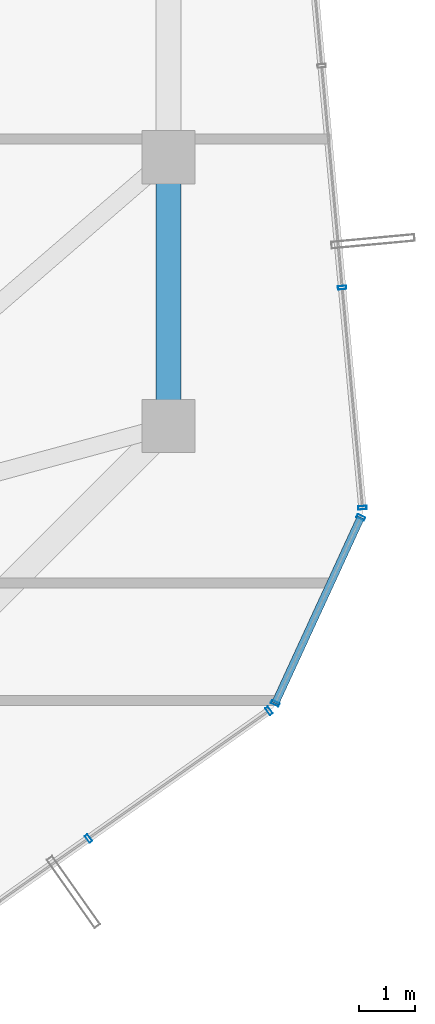
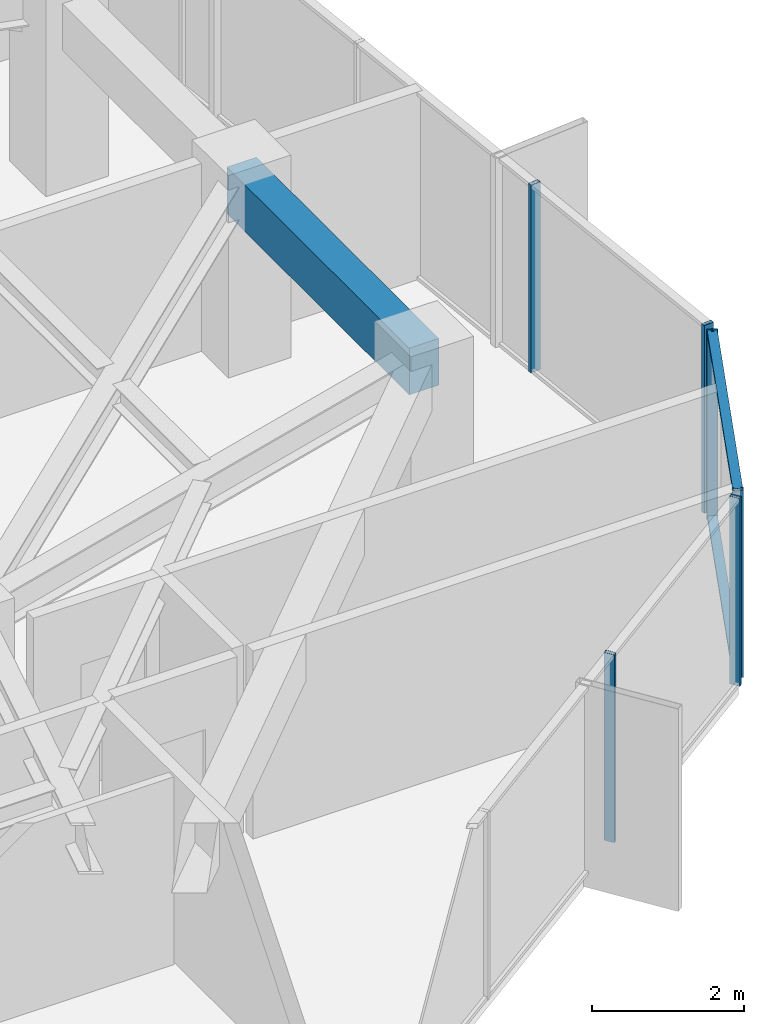
# One storey, part 17 of 32: 8 members, 1 beam, 3 elements without a shape of their own.
"""IFC4 building model written with IfcOpenShell, lengths in metres."""

from ifc_helpers import new_model, si_unit, direction, frame, origin, origin_2d, place, context, subcontext, project, spatial, rectangle, hollow_rectangle, extrude, source, transform, mapped, material, layer, layer_set, material_profile, profile_set, type_object, element, aggregate, save


model = new_model("IFC4")

# Units and contexts
model_context = context("Model", 3, precision=1e-05, world=origin(), true_north=direction((0.0, 1.0)))
body_context = subcontext(model_context, "Body", "Model", "MODEL_VIEW")
ifc_project = project(units=[si_unit("LENGTHUNIT", "METRE"), si_unit("AREAUNIT", "SQUARE_METRE"), si_unit("VOLUMEUNIT", "CUBIC_METRE"), si_unit("PLANEANGLEUNIT", "RADIAN"), si_unit("MASSUNIT", "GRAM", prefix="KILO")], contexts=[model_context])

# Site, building, storey
site_placement = place(None, origin())
site = spatial("IfcSite", under=ifc_project, at=site_placement, CompositionType="ELEMENT")
building_placement = place(site_placement, origin())
building = spatial("IfcBuilding", under=site, at=building_placement, Name="Veraguas Prism Commons", CompositionType="ELEMENT")
storey_placement = place(building_placement, frame((0.0, 0.0, 188.60009765625)))
storey = spatial("IfcBuildingStorey", under=building, at=storey_placement, Name="L53", CompositionType="ELEMENT", Elevation=188.60009765625)

# Beam
ifc_material_1 = material(Name="Concrete C50/60", Category="concrete")
ifc_material_profile_1 = material_profile(ifc_material_1, rectangle(XDim=0.449951171875, YDim=0.75, at=origin_2d()), Name="RC450X750")
ifc_profile_set_1 = profile_set([ifc_material_profile_1], Name="Concrete C50/60")
beam_type = type_object("IfcBeamType", Name="Perimeter Spandrel Upper RC 450x750", PredefinedType="SPANDREL", material=ifc_profile_set_1)
beam_placement = place(storey_placement, frame((38.89990234375, 19.199951171875, 2.639892578125), z_axis=(0.0, 1.0, 0.0), x_axis=(-1.0, 0.0, 0.0)))
element("IfcBeam", 1, at=beam_placement, inside=storey, type_object=beam_type, Name="Perimeter Spandrel Beam L53-SP01", PredefinedType="SPANDREL", context=body_context, shape_type="SweptSolid", body=[
    extrude(rectangle(XDim=0.449951171875, YDim=0.75, at=origin_2d()), origin(), (0.0, 0.0, 1.0), 4.800048828125),
])

# Curtain wall, members
ifc_material_2 = material(Name="Anodised aluminium EN AW-6063 T6", Category="aluminium")
ifc_layer = layer(ifc_material_2, 0.14990234375, Name="Unitised Flush Curtain Wall Zone 3", Category="aluminium")
ifc_layer_set = layer_set([ifc_layer], Name="Anodised aluminium EN AW-6063 T6")
curtain_wall_type = type_object("IfcCurtainWallType", Name="Unitised Flush Curtain Wall Zone 3", PredefinedType="NOTDEFINED", material=ifc_layer_set)
curtain_wall_1_placement = place(storey_placement, origin())
curtain_wall_1 = element("IfcCurtainWall", 2, at=curtain_wall_1_placement, inside=storey, type_object=curtain_wall_type, Name="Tower Facade Curtain Wall L53-F5", PredefinedType="NOTDEFINED")
ifc_material_profile_2 = material_profile(ifc_material_2, hollow_rectangle(XDim=0.06005859375, YDim=0.14990234375, WallThickness=0.0029296875, at=origin_2d()), Name="AL60X150X3")
ifc_profile_set_2 = profile_set([ifc_material_profile_2], Name="Anodised aluminium EN AW-6063 T6")
member_type_1 = type_object("IfcMemberType", Name="Curtain Wall Mullion Upper AL 60x150x3", PredefinedType="MULLION", material=ifc_profile_set_2)
shared_shape_1 = source(origin(), body_context, "Body", "SweptSolid", [
    extrude(hollow_rectangle(XDim=0.06005859375, YDim=0.14990234375, WallThickness=0.0029296875, at=origin_2d()), origin(), (0.0, 0.0, 1.0), 3.014892578125),
])
member_1_placement = place(storey_placement, frame((37.474365234375, 11.838623046875, 0.0), z_axis=(0.0, 0.0, 1.0), x_axis=(0.816341266821, 0.577569853857, 0.0)))
member_1 = element("IfcMember", 3, at=member_1_placement, type_object=member_type_1, Name="CW-Z3 Mullion 4", PredefinedType="MULLION", context=body_context, shape_type="MappedRepresentation", body=[
    mapped(shared_shape_1, transform((0.0, 0.0, 0.0), scale=1.0)),
])
member_2_placement = place(storey_placement, frame((40.6953125, 14.117431640625, 0.0), z_axis=(0.0, 0.0, 1.0), x_axis=(0.816341266821, 0.577569853857, 0.0)))
member_2 = element("IfcMember", 4, at=member_2_placement, type_object=member_type_1, Name="CW-Z3 Mullion 5", PredefinedType="MULLION", context=body_context, shape_type="MappedRepresentation", body=[
    mapped(shared_shape_1, transform((0.0, 0.0, 0.0), scale=1.0)),
])
aggregate(curtain_wall_1, [member_1, member_2])

curtain_wall_2_placement = place(storey_placement, origin())
curtain_wall_2 = element("IfcCurtainWall", 5, at=curtain_wall_2_placement, inside=storey, type_object=curtain_wall_type, Name="Tower Facade Curtain Wall L53-F6", PredefinedType="NOTDEFINED")
member_3_placement = place(storey_placement, frame((42.364013671875, 17.7421875, 0.0), z_axis=(0.0, 0.0, 1.0), x_axis=(-0.092023008338, 0.995756880939, 0.0)))
member_3 = element("IfcMember", 6, at=member_3_placement, type_object=member_type_1, Name="CW-Z3 Mullion 1", PredefinedType="MULLION", context=body_context, shape_type="MappedRepresentation", body=[
    mapped(shared_shape_1, transform((0.0, 0.0, 0.0), scale=1.0)),
])
member_4_placement = place(storey_placement, frame((42.0009765625, 21.6708984375, 0.0), z_axis=(0.0, 0.0, 1.0), x_axis=(-0.092023008338, 0.995756880939, 0.0)))
member_4 = element("IfcMember", 7, at=member_4_placement, type_object=member_type_1, Name="CW-Z3 Mullion 2", PredefinedType="MULLION", context=body_context, shape_type="MappedRepresentation", body=[
    mapped(shared_shape_1, transform((0.0, 0.0, 0.0), scale=1.0)),
])
aggregate(curtain_wall_2, [member_3, member_4])

curtain_wall_3_placement = place(storey_placement, origin())
curtain_wall_3 = element("IfcCurtainWall", 8, at=curtain_wall_3_placement, inside=storey, type_object=curtain_wall_type, Name="Chamfer Curtain Wall L53-C6", PredefinedType="NOTDEFINED")
member_5_placement = place(storey_placement, frame((40.806396484375, 14.251220703125, 0.0), z_axis=(0.0, 0.0, 1.0), x_axis=(0.418185762907, 0.908361529184, 0.0)))
member_5 = element("IfcMember", 9, at=member_5_placement, type_object=member_type_1, Name="CW-Z3 Mullion 1", PredefinedType="MULLION", context=body_context, shape_type="MappedRepresentation", body=[
    mapped(shared_shape_1, transform((0.0, 0.0, 0.0), scale=1.0)),
])
member_6_placement = place(storey_placement, frame((42.334716796875, 17.57080078125, 0.0), z_axis=(0.0, 0.0, 1.0), x_axis=(0.418185762907, 0.908361529184, 0.0)))
member_6 = element("IfcMember", 10, at=member_6_placement, type_object=member_type_1, Name="CW-Z3 Mullion 2", PredefinedType="MULLION", context=body_context, shape_type="MappedRepresentation", body=[
    mapped(shared_shape_1, transform((0.0, 0.0, 0.0), scale=1.0)),
])
ifc_material_profile_3 = material_profile(ifc_material_2, hollow_rectangle(XDim=0.054931640625, YDim=0.135009765625, WallThickness=0.0029296875, at=origin_2d()), Name="AL55X135X3")
ifc_profile_set_3 = profile_set([ifc_material_profile_3], Name="Anodised aluminium EN AW-6063 T6")
member_type_2 = type_object("IfcMemberType", Name="Curtain Wall Transom Standard AL 55x135x3", PredefinedType="USERDEFINED", material=ifc_profile_set_3)
shared_shape_2 = source(origin(), body_context, "Body", "SweptSolid", [
    extrude(hollow_rectangle(XDim=0.054931640625, YDim=0.135009765625, WallThickness=0.0029296875, at=origin_2d()), origin(), (0.0, 0.0, 1.0), 3.654541015625),
])
member_7_placement = place(storey_placement, frame((40.806396484375, 14.251220703125, 0.02734375), z_axis=(0.41820222958, 0.90835394818, 0.0), x_axis=(0.0, 0.0, 1.0)))
member_7 = element("IfcMember", 11, at=member_7_placement, type_object=member_type_2, Name="CW-Z3 Transom 1", ObjectType="TRANSOM", PredefinedType="USERDEFINED", context=body_context, shape_type="MappedRepresentation", body=[
    mapped(shared_shape_2, transform((0.0, 0.0, 0.0), scale=1.0)),
])
member_8_placement = place(storey_placement, frame((40.806396484375, 14.251220703125, 2.9873046875), z_axis=(0.41820222958, 0.90835394818, 0.0), x_axis=(0.0, 0.0, 1.0)))
member_8 = element("IfcMember", 12, at=member_8_placement, type_object=member_type_2, Name="CW-Z3 Transom 2", ObjectType="TRANSOM", PredefinedType="USERDEFINED", context=body_context, shape_type="MappedRepresentation", body=[
    mapped(shared_shape_2, transform((0.0, 0.0, 0.0), scale=1.0)),
])
aggregate(curtain_wall_3, [member_5, member_6, member_7, member_8])

save(model, "model.ifc")
